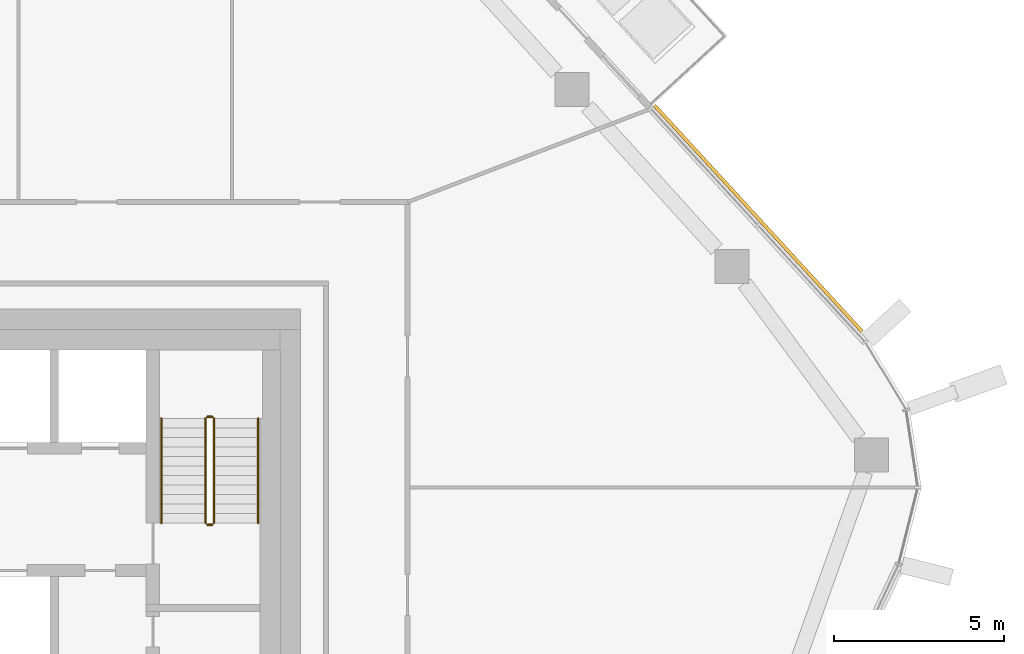
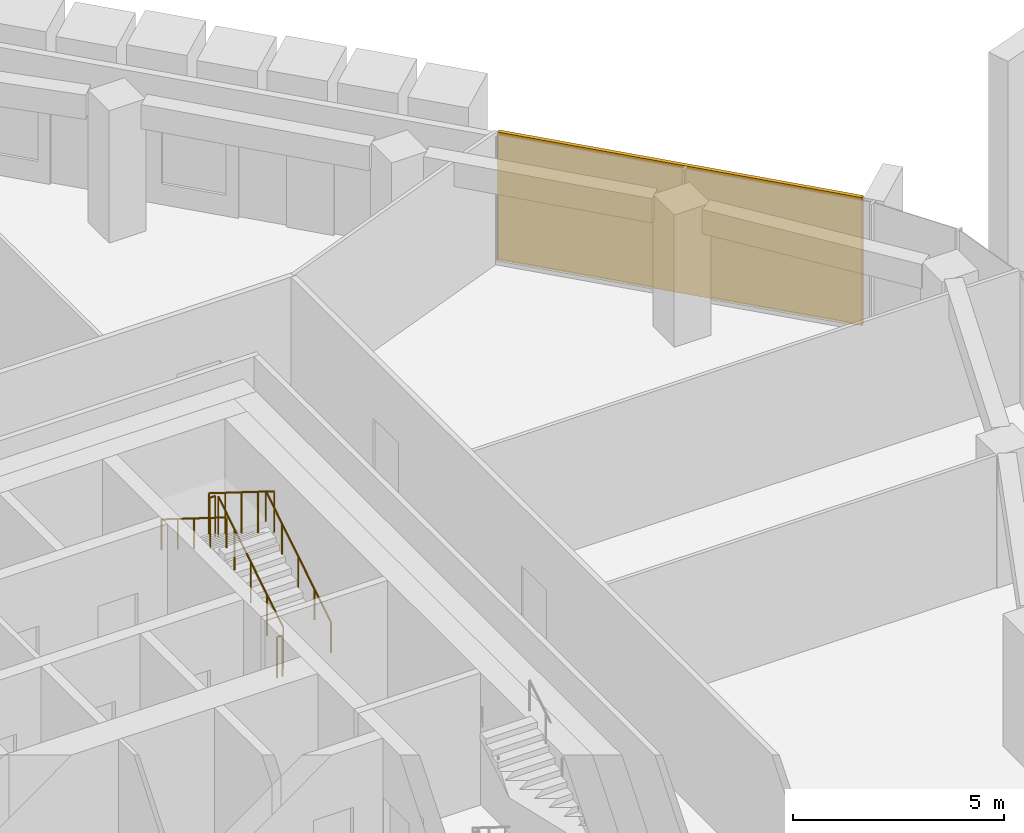
# One storey, part 23 of 24: 6 railings, 1 covering, 1 element without a shape of its own.
"""IFC4 building model written with IfcOpenShell, lengths in metres."""

from ifc_helpers import new_model, si_unit, direction, frame, origin, origin_2d, place, context, subcontext, project, spatial, rectangle, circle, extrude, material, layer, layer_set, type_object, element, aggregate, save


model = new_model("IFC4")

# Units and contexts
model_context = context("Model", 3, precision=1e-05, world=origin(), true_north=direction((0.0, 1.0)))
body_context = subcontext(model_context, "Body", "Model", "MODEL_VIEW")
ifc_project = project(units=[si_unit("LENGTHUNIT", "METRE"), si_unit("AREAUNIT", "SQUARE_METRE"), si_unit("VOLUMEUNIT", "CUBIC_METRE"), si_unit("PLANEANGLEUNIT", "RADIAN"), si_unit("MASSUNIT", "GRAM", prefix="KILO")], contexts=[model_context])

# Site, building, storey
site_placement = place(None, origin())
site = spatial("IfcSite", under=ifc_project, at=site_placement, CompositionType="ELEMENT")
building_placement = place(site_placement, origin())
building = spatial("IfcBuilding", under=site, at=building_placement, Name="Dongbaek Canopy Tower", CompositionType="ELEMENT")
storey_placement = place(building_placement, frame((0.0, 0.0, 344.60009765625)))
storey = spatial("IfcBuildingStorey", under=building, at=storey_placement, Name="L74", CompositionType="ELEMENT", Elevation=344.60009765625)

# Curtain wall, covering
ifc_material_1 = material(Name="Aluminium 6063-T6 pale anodised", Category="aluminium")
ifc_layer_1 = layer(ifc_material_1, 0.199951171875)
ifc_layer_set_1 = layer_set([ifc_layer_1], Name="CW-1 unitised tower curtain wall")
curtain_wall_type = type_object("IfcCurtainWallType", Name="CW-1 unitised tower curtain wall", PredefinedType="NOTDEFINED", material=ifc_layer_set_1)
curtain_wall_placement = place(storey_placement, origin())
curtain_wall = element("IfcCurtainWall", 1, at=curtain_wall_placement, inside=storey, type_object=curtain_wall_type, Name="CW-1 curtain wall F0.1", PredefinedType="NOTDEFINED")
ifc_material_2 = material(Name="Perforated aluminium 6063-T6 pale metal screen", Category="aluminium")
ifc_layer_2 = layer(ifc_material_2, 0.10009765625)
ifc_layer_set_2 = layer_set([ifc_layer_2], Name="Facet screen FS1 100 pale metal")
covering_type = type_object("IfcCoveringType", Name="Facet screen FS1 100 pale metal", PredefinedType="CLADDING", material=ifc_layer_set_2)
covering_placement = place(storey_placement, frame((27.478271484375, 13.6669921875, 0.0), z_axis=(0.0, 0.0, 1.0), x_axis=(-0.676364483171, 0.736567095318, 0.0)))
covering = element("IfcCovering", 2, at=covering_placement, type_object=covering_type, Name="Facet screen L74 F0", PredefinedType="CLADDING", context=body_context, shape_type="SweptSolid", body=[
    extrude(rectangle(XDim=9.0419921875, YDim=0.10009765625, at=origin_2d()), origin(), (0.0, 0.0, 1.0), 3.699951171875),
])
aggregate(curtain_wall, [covering])

# Railings
ifc_material_3 = material(Name="Stainless steel tube and balusters", Category="steel")
railing_type_1 = type_object("IfcRailingType", Name="Stair guard 1200", PredefinedType="GUARDRAIL", material=ifc_material_3)
railing_1_placement = place(storey_placement, frame((11.449951171875, 4.699951171875, 0.1748046875)))
element("IfcRailing", 3, at=railing_1_placement, inside=storey, type_object=railing_type_1, Name="L74 ST-A stair guard 1", PredefinedType="GUARDRAIL", context=body_context, shape_type="SweptSolid", body=[
    extrude(circle(Radius=0.02392578125, at=origin_2d()), frame((0.0, 0.0, 1.17578125), z_axis=(0.0, 0.847998304005, 0.529998940003), x_axis=(-1.0, 0.0, 0.0)), (0.0, 0.0, 1.0), 3.632080078125),
    extrude(circle(Radius=0.02099609375, at=origin_2d()), origin(), (0.0, 0.0, 1.0), 1.15185546875),
    extrude(circle(Radius=0.02099609375, at=origin_2d()), frame((0.0, 0.77001953125, 0.481201171875)), (0.0, 0.0, 1.0), 1.15185546875),
    extrude(circle(Radius=0.02099609375, at=origin_2d()), frame((0.0, 1.5400390625, 0.96240234375)), (0.0, 0.0, 1.0), 1.15185546875),
    extrude(circle(Radius=0.02099609375, at=origin_2d()), frame((0.0, 2.31005859375, 1.44384765625)), (0.0, 0.0, 1.0), 1.15185546875),
    extrude(circle(Radius=0.02099609375, at=origin_2d()), frame((0.0, 3.080078125, 1.925048828125)), (0.0, 0.0, 1.0), 1.15185546875),
])
railing_2_placement = place(storey_placement, frame((11.39990234375, 7.830078125, 2.099853515625)))
element("IfcRailing", 4, at=railing_2_placement, inside=storey, type_object=railing_type_1, Name="L74 ST-A stair guard 2", PredefinedType="GUARDRAIL", context=body_context, shape_type="SweptSolid", body=[
    extrude(circle(Radius=0.02392578125, at=origin_2d()), frame((0.0, 0.0, 1.17578125), z_axis=(-1.0, 0.0, 0.0), x_axis=(0.0, -1.0, 0.0)), (0.0, 0.0, 1.0), 0.14990234375),
    extrude(circle(Radius=0.02099609375, at=origin_2d()), origin(), (0.0, 0.0, 1.0), 1.15185546875),
    extrude(circle(Radius=0.02099609375, at=origin_2d()), frame((-0.14990234375, 0.0, 0.0)), (0.0, 0.0, 1.0), 1.15185546875),
])
railing_3_placement = place(storey_placement, frame((11.199951171875, 7.780029296875, 2.27490234375)))
element("IfcRailing", 5, at=railing_3_placement, inside=storey, type_object=railing_type_1, Name="L74 ST-A stair guard 3", PredefinedType="GUARDRAIL", context=body_context, shape_type="SweptSolid", body=[
    extrude(circle(Radius=0.02392578125, at=origin_2d()), frame((0.0, 0.0, 1.17578125), z_axis=(0.0, -0.847998304005, 0.529998940003), x_axis=(1.0, 0.0, 0.0)), (0.0, 0.0, 1.0), 3.632080078125),
    extrude(circle(Radius=0.02099609375, at=origin_2d()), origin(), (0.0, 0.0, 1.0), 1.15185546875),
    extrude(circle(Radius=0.02099609375, at=origin_2d()), frame((0.0, -0.77001953125, 0.481201171875)), (0.0, 0.0, 1.0), 1.15185546875),
    extrude(circle(Radius=0.02099609375, at=origin_2d()), frame((0.0, -1.5400390625, 0.96240234375)), (0.0, 0.0, 1.0), 1.15185546875),
    extrude(circle(Radius=0.02099609375, at=origin_2d()), frame((0.0, -2.31005859375, 1.44384765625)), (0.0, 0.0, 1.0), 1.15185546875),
    extrude(circle(Radius=0.02099609375, at=origin_2d()), frame((0.0, -3.080078125, 1.925048828125)), (0.0, 0.0, 1.0), 1.15185546875),
])
railing_4_placement = place(storey_placement, frame((11.39990234375, 4.64990234375, 0.0)))
element("IfcRailing", 6, at=railing_4_placement, inside=storey, type_object=railing_type_1, Name="L74 ST-A stair guard 4", PredefinedType="GUARDRAIL", context=body_context, shape_type="SweptSolid", body=[
    extrude(circle(Radius=0.02392578125, at=origin_2d()), frame((0.0, 0.0, 1.17578125), z_axis=(-1.0, 0.0, 0.0), x_axis=(0.0, -1.0, 0.0)), (0.0, 0.0, 1.0), 0.14990234375),
    extrude(circle(Radius=0.02099609375, at=origin_2d()), origin(), (0.0, 0.0, 1.0), 1.15185546875),
    extrude(circle(Radius=0.02099609375, at=origin_2d()), frame((-0.14990234375, 0.0, 0.0)), (0.0, 0.0, 1.0), 1.15185546875),
])
ifc_material_4 = material(Name="Stainless steel tube", Category="steel")
railing_type_2 = type_object("IfcRailingType", Name="Stair handrail 900", PredefinedType="HANDRAIL", material=ifc_material_4)
railing_5_placement = place(storey_placement, frame((12.75, 4.699951171875, 0.1748046875)))
element("IfcRailing", 7, at=railing_5_placement, inside=storey, type_object=railing_type_2, Name="L74 ST-A stair handrail 1", PredefinedType="HANDRAIL", context=body_context, shape_type="SweptSolid", body=[
    extrude(circle(Radius=0.02392578125, at=origin_2d()), frame((0.0, 0.0, 0.8759765625), z_axis=(0.0, 0.847998304005, 0.529998940003), x_axis=(-1.0, 0.0, 0.0)), (0.0, 0.0, 1.0), 3.632080078125),
    extrude(circle(Radius=0.02099609375, at=origin_2d()), origin(), (0.0, 0.0, 1.0), 0.851806640625),
    extrude(circle(Radius=0.02099609375, at=origin_2d()), frame((0.0, 0.77001953125, 0.481201171875)), (0.0, 0.0, 1.0), 0.851806640625),
    extrude(circle(Radius=0.02099609375, at=origin_2d()), frame((0.0, 1.5400390625, 0.96240234375)), (0.0, 0.0, 1.0), 0.851806640625),
    extrude(circle(Radius=0.02099609375, at=origin_2d()), frame((0.0, 2.31005859375, 1.44384765625)), (0.0, 0.0, 1.0), 0.851806640625),
    extrude(circle(Radius=0.02099609375, at=origin_2d()), frame((0.0, 3.080078125, 1.925048828125)), (0.0, 0.0, 1.0), 0.851806640625),
])
railing_6_placement = place(storey_placement, frame((9.89990234375, 7.780029296875, 2.27490234375)))
element("IfcRailing", 8, at=railing_6_placement, inside=storey, type_object=railing_type_2, Name="L74 ST-A stair handrail 2", PredefinedType="HANDRAIL", context=body_context, shape_type="SweptSolid", body=[
    extrude(circle(Radius=0.02392578125, at=origin_2d()), frame((0.0, 0.0, 0.8759765625), z_axis=(0.0, -0.847998304005, 0.529998940003), x_axis=(1.0, 0.0, 0.0)), (0.0, 0.0, 1.0), 3.632080078125),
    extrude(circle(Radius=0.02099609375, at=origin_2d()), origin(), (0.0, 0.0, 1.0), 0.851806640625),
    extrude(circle(Radius=0.02099609375, at=origin_2d()), frame((0.0, -0.77001953125, 0.481201171875)), (0.0, 0.0, 1.0), 0.851806640625),
    extrude(circle(Radius=0.02099609375, at=origin_2d()), frame((0.0, -1.5400390625, 0.96240234375)), (0.0, 0.0, 1.0), 0.851806640625),
    extrude(circle(Radius=0.02099609375, at=origin_2d()), frame((0.0, -2.31005859375, 1.44384765625)), (0.0, 0.0, 1.0), 0.851806640625),
    extrude(circle(Radius=0.02099609375, at=origin_2d()), frame((0.0, -3.080078125, 1.925048828125)), (0.0, 0.0, 1.0), 0.851806640625),
])

save(model, "model.ifc")
